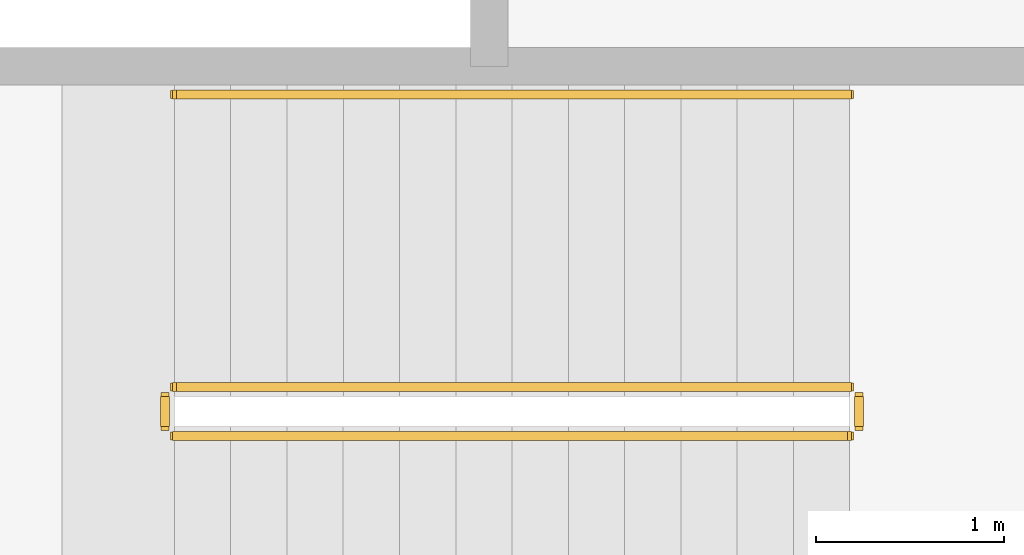
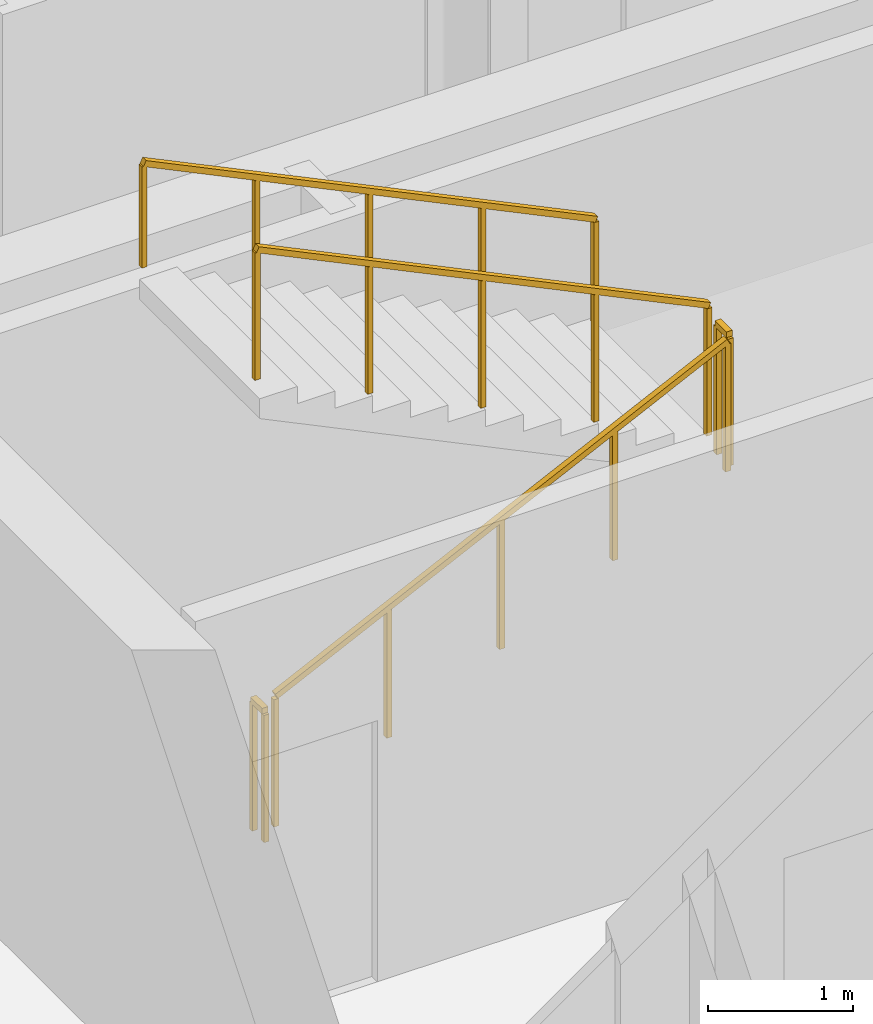
# One storey, part 25 of 26: 5 railings.
"""IFC4 building model written with IfcOpenShell, lengths in metres."""

from ifc_helpers import new_model, si_unit, direction, frame, origin, origin_2d, place, context, subcontext, project, spatial, rectangle, extrude, material, type_object, element, save


model = new_model("IFC4")

# Units and contexts
model_context = context("Model", 3, precision=1e-05, world=origin(), true_north=direction((0.0, 1.0)))
body_context = subcontext(model_context, "Body", "Model", "MODEL_VIEW")
ifc_project = project(units=[si_unit("LENGTHUNIT", "METRE"), si_unit("AREAUNIT", "SQUARE_METRE"), si_unit("VOLUMEUNIT", "CUBIC_METRE"), si_unit("PLANEANGLEUNIT", "RADIAN"), si_unit("MASSUNIT", "GRAM", prefix="KILO"), si_unit("THERMODYNAMICTEMPERATUREUNIT", "KELVIN"), si_unit("POWERUNIT", "WATT")], contexts=[model_context])

# Site, building, storey
site_placement = place(None, origin())
site = spatial("IfcSite", under=ifc_project, at=site_placement, CompositionType="ELEMENT")
building_placement = place(site_placement, origin())
building = spatial("IfcBuilding", under=site, at=building_placement, Name="Svarakhadi Broadcast Tower", CompositionType="ELEMENT")
storey_placement = place(building_placement, frame((0.0, 0.0, 184.199951171875)))
storey = spatial("IfcBuildingStorey", under=building, at=storey_placement, Name="L45", CompositionType="ELEMENT", Elevation=184.199951171875)

# Railings
ifc_material = material(Name="Anodised Bronze Aluminium AA 6063-T6", Category="aluminium")
railing_type_1 = type_object("IfcRailingType", Name="Guard_Stair_GR01", PredefinedType="GUARDRAIL", material=ifc_material)
railing_1_placement = place(storey_placement, frame((7.97998046875, 24.969970703125, 0.144287109375)))
element("IfcRailing", 1, at=railing_1_placement, inside=storey, type_object=railing_type_1, Name="L45 ST-01 stair guard 1", PredefinedType="GUARDRAIL", context=body_context, shape_type="SweptSolid", body=[
    extrude(rectangle(XDim=0.048095703125, YDim=0.048095703125, at=origin_2d()), frame((0.0, 0.0, 1.09619140625), z_axis=(0.901262522062, 0.0, 0.433273431364), x_axis=(0.0, 1.0, 0.0)), (0.0, 0.0, 1.0), 3.994384765625),
    extrude(rectangle(XDim=0.0419921875, YDim=0.0419921875, at=origin_2d()), origin(), (0.0, 0.0, 1.0), 1.072021484375),
    extrude(rectangle(XDim=0.0419921875, YDim=0.0419921875, at=origin_2d()), frame((0.89990234375, 0.0, 0.4326171875)), (0.0, 0.0, 1.0), 1.072021484375),
    extrude(rectangle(XDim=0.0419921875, YDim=0.0419921875, at=origin_2d()), frame((1.800048828125, 0.0, 0.865234375)), (0.0, 0.0, 1.0), 1.072021484375),
    extrude(rectangle(XDim=0.0419921875, YDim=0.0419921875, at=origin_2d()), frame((2.7001953125, 0.0, 1.298095703125)), (0.0, 0.0, 1.0), 1.072021484375),
    extrude(rectangle(XDim=0.0419921875, YDim=0.0419921875, at=origin_2d()), frame((3.60009765625, 0.0, 1.730712890625)), (0.0, 0.0, 1.0), 1.072021484375),
])
railing_2_placement = place(storey_placement, frame((11.6298828125, 25.02001953125, 1.875)))
element("IfcRailing", 2, at=railing_2_placement, inside=storey, type_object=railing_type_1, Name="L45 ST-01 stair guard 2", PredefinedType="GUARDRAIL", context=body_context, shape_type="SweptSolid", body=[
    extrude(rectangle(XDim=0.048095703125, YDim=0.048095703125, at=origin_2d()), frame((0.0, 0.0, 1.09619140625), z_axis=(0.0, 1.0, 0.0), x_axis=(-1.0, 0.0, 0.0)), (0.0, 0.0, 1.0), 0.159912109375),
    extrude(rectangle(XDim=0.0419921875, YDim=0.0419921875, at=origin_2d()), origin(), (0.0, 0.0, 1.0), 1.072021484375),
    extrude(rectangle(XDim=0.0419921875, YDim=0.0419921875, at=origin_2d()), frame((0.0, 0.159912109375, 0.0)), (0.0, 0.0, 1.0), 1.072021484375),
])
railing_3_placement = place(storey_placement, frame((11.580078125, 25.22998046875, 2.019287109375)))
element("IfcRailing", 3, at=railing_3_placement, inside=storey, type_object=railing_type_1, Name="L45 ST-01 stair guard 3", PredefinedType="GUARDRAIL", context=body_context, shape_type="SweptSolid", body=[
    extrude(rectangle(XDim=0.048095703125, YDim=0.048095703125, at=origin_2d()), frame((0.0, 0.0, 1.09619140625), z_axis=(-0.901262522062, 0.0, 0.433273431364), x_axis=(0.0, -1.0, 0.0)), (0.0, 0.0, 1.0), 3.994384765625),
    extrude(rectangle(XDim=0.0419921875, YDim=0.0419921875, at=origin_2d()), origin(), (0.0, 0.0, 1.0), 1.072021484375),
    extrude(rectangle(XDim=0.0419921875, YDim=0.0419921875, at=origin_2d()), frame((-0.89990234375, 0.0, 0.4326171875)), (0.0, 0.0, 1.0), 1.072021484375),
    extrude(rectangle(XDim=0.0419921875, YDim=0.0419921875, at=origin_2d()), frame((-1.800048828125, 0.0, 0.865234375)), (0.0, 0.0, 1.0), 1.072021484375),
    extrude(rectangle(XDim=0.0419921875, YDim=0.0419921875, at=origin_2d()), frame((-2.7001953125, 0.0, 1.298095703125)), (0.0, 0.0, 1.0), 1.072021484375),
    extrude(rectangle(XDim=0.0419921875, YDim=0.0419921875, at=origin_2d()), frame((-3.60009765625, 0.0, 1.730712890625)), (0.0, 0.0, 1.0), 1.072021484375),
])
railing_4_placement = place(storey_placement, frame((7.929931640625, 25.02001953125, 0.0)))
element("IfcRailing", 4, at=railing_4_placement, inside=storey, type_object=railing_type_1, Name="L45 ST-01 stair guard 4", PredefinedType="GUARDRAIL", context=body_context, shape_type="SweptSolid", body=[
    extrude(rectangle(XDim=0.048095703125, YDim=0.048095703125, at=origin_2d()), frame((0.0, 0.0, 1.09619140625), z_axis=(0.0, 1.0, 0.0), x_axis=(-1.0, 0.0, 0.0)), (0.0, 0.0, 1.0), 0.159912109375),
    extrude(rectangle(XDim=0.0419921875, YDim=0.0419921875, at=origin_2d()), origin(), (0.0, 0.0, 1.0), 1.072021484375),
    extrude(rectangle(XDim=0.0419921875, YDim=0.0419921875, at=origin_2d()), frame((0.0, 0.159912109375, 0.0)), (0.0, 0.0, 1.0), 1.072021484375),
])
railing_type_2 = type_object("IfcRailingType", Name="Handrail_Stair_HR01", PredefinedType="HANDRAIL", material=ifc_material)
railing_5_placement = place(storey_placement, frame((11.580078125, 26.7900390625, 2.019287109375)))
element("IfcRailing", 5, at=railing_5_placement, inside=storey, type_object=railing_type_2, Name="L45 ST-01 stair handrail 2", PredefinedType="HANDRAIL", context=body_context, shape_type="SweptSolid", body=[
    extrude(rectangle(XDim=0.048095703125, YDim=0.048095703125, at=origin_2d()), frame((0.0, 0.0, 0.8759765625), z_axis=(-0.901262522062, 0.0, 0.433273431364), x_axis=(0.0, -1.0, 0.0)), (0.0, 0.0, 1.0), 3.994384765625),
    extrude(rectangle(XDim=0.0419921875, YDim=0.0419921875, at=origin_2d()), origin(), (0.0, 0.0, 1.0), 0.851806640625),
    extrude(rectangle(XDim=0.0419921875, YDim=0.0419921875, at=origin_2d()), frame((-0.89990234375, 0.0, 0.4326171875)), (0.0, 0.0, 1.0), 0.851806640625),
    extrude(rectangle(XDim=0.0419921875, YDim=0.0419921875, at=origin_2d()), frame((-1.800048828125, 0.0, 0.865234375)), (0.0, 0.0, 1.0), 0.851806640625),
    extrude(rectangle(XDim=0.0419921875, YDim=0.0419921875, at=origin_2d()), frame((-2.7001953125, 0.0, 1.298095703125)), (0.0, 0.0, 1.0), 0.851806640625),
    extrude(rectangle(XDim=0.0419921875, YDim=0.0419921875, at=origin_2d()), frame((-3.60009765625, 0.0, 1.730712890625)), (0.0, 0.0, 1.0), 0.851806640625),
])

save(model, "model.ifc")
